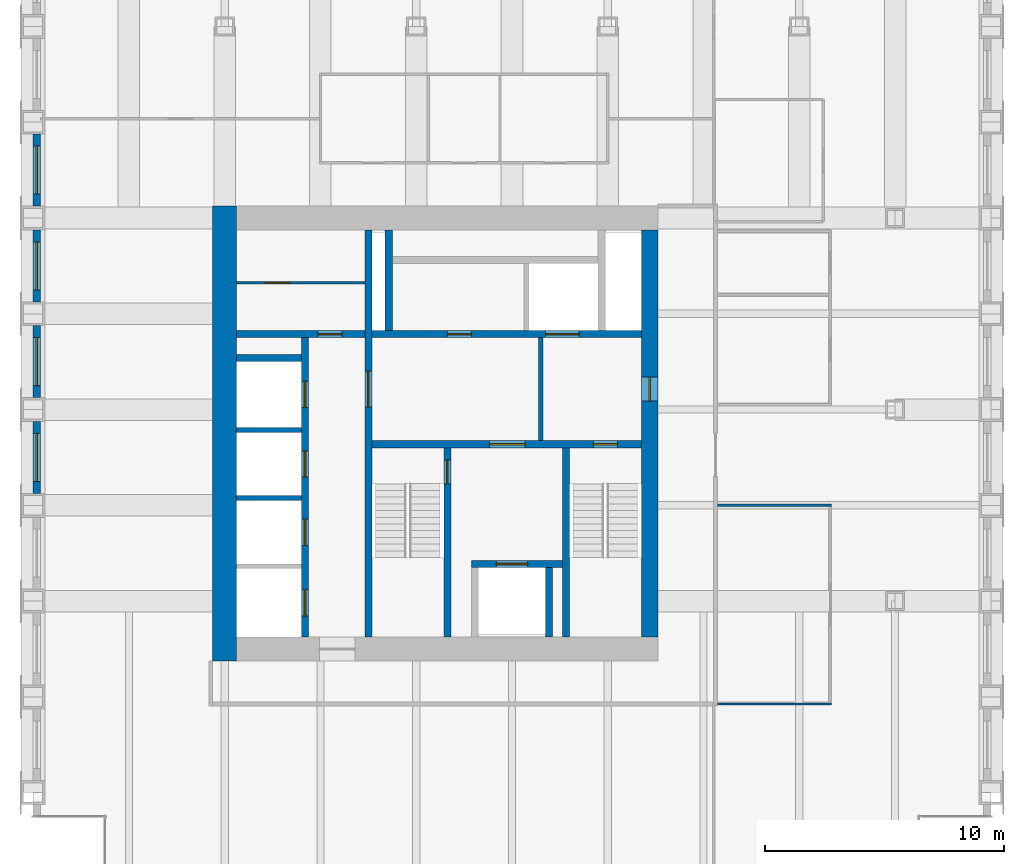
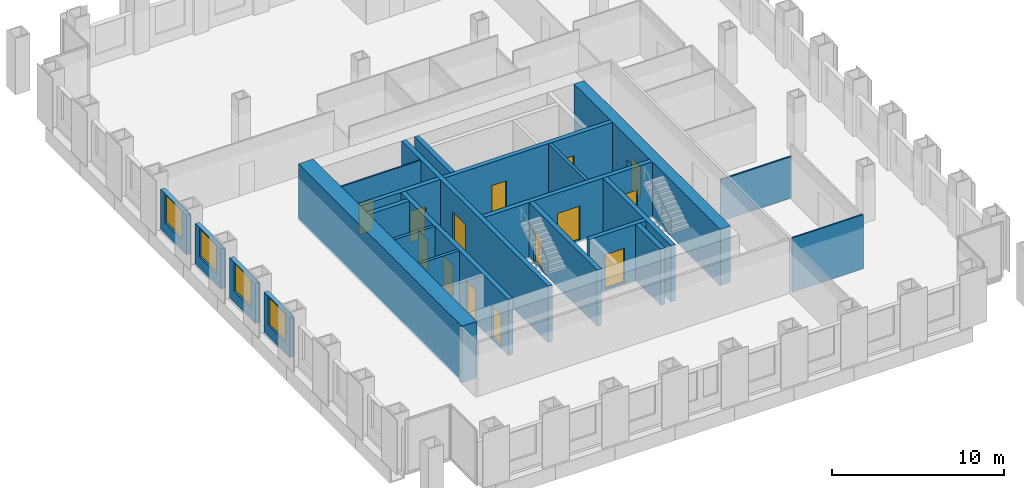
# One storey, part 9 of 13: 23 walls, 14 doors, 4 windows, 18 openings.
"""IFC4 building model written with IfcOpenShell, lengths in metres."""

from ifc_helpers import new_model, si_unit, direction, frame, frame_2d, origin, place, context, subcontext, project, spatial, rectangle, extrude, material, layer, layer_set, type_object, element, fill, save


model = new_model("IFC4")

# Units and contexts
model_context = context("Model", 3, precision=1e-05, world=origin(), true_north=direction((0.0, 1.0)))
body_context = subcontext(model_context, "Body", "Model", "MODEL_VIEW")
ifc_project = project(units=[si_unit("LENGTHUNIT", "METRE"), si_unit("AREAUNIT", "SQUARE_METRE"), si_unit("VOLUMEUNIT", "CUBIC_METRE"), si_unit("PLANEANGLEUNIT", "RADIAN"), si_unit("MASSUNIT", "GRAM", prefix="KILO")], contexts=[model_context])

# Site, building, storey
site_placement = place(None, origin())
site = spatial("IfcSite", under=ifc_project, at=site_placement, CompositionType="ELEMENT")
building_placement = place(site_placement, origin())
building = spatial("IfcBuilding", under=site, at=building_placement, Name="Rimbunsela Tower", CompositionType="ELEMENT")
storey_placement = place(building_placement, frame((0.0, 0.0, 222.199951171875)))
storey = spatial("IfcBuildingStorey", under=building, at=storey_placement, Name="L53", CompositionType="ELEMENT", Elevation=222.199951171875)

# Wall, opening, door
ifc_material_1 = material(Name="Concrete fc' 80 MPa", Category="concrete")
ifc_layer_1 = layer(ifc_material_1, 0.300048828125)
ifc_layer_set_1 = layer_set([ifc_layer_1], Name="Core internal wall 300")
wall_type_1 = type_object("IfcWallType", Name="Core internal wall 300", PredefinedType="SHEAR", material=ifc_layer_set_1)
wall_1_placement = place(storey_placement, frame((24.0, 18.5, -0.14990234375), z_axis=(0.0, 0.0, 1.0), x_axis=(0.0, 1.0, 0.0)))
wall_1 = element("IfcWall", 1, at=wall_1_placement, inside=storey, type_object=wall_type_1, Name="Core wall at stair A", PredefinedType="SHEAR", context=body_context, shape_type="SweptSolid", body=[
    extrude(rectangle(XDim=17.0, YDim=0.300048828125, at=frame_2d((8.5, 0.0))), origin(), (0.0, 0.0, 1.0), 4.0),
])
opening_1_placement = place(wall_1_placement, frame((9.60009765625, 0.0, 0.14990234375)))
opening_1 = element("IfcOpeningElement", 2, at=opening_1_placement, cuts=wall_1, Name="Opening D03", PredefinedType="OPENING", context=body_context, shape_type="SweptSolid", body=[
    extrude(rectangle(XDim=1.5, YDim=2.39990234375, at=frame_2d((0.75, 1.199951171875))), frame((0.0, 0.159912109375, 0.0), z_axis=(0.0, -1.0, 0.0), x_axis=(1.0, 0.0, 0.0)), (0.0, 0.0, 1.0), 0.320068359375),
])
ifc_material_2 = material(Name="Steel door, fire rated", Category="steel")
door_type_1 = type_object("IfcDoorType", Name="Core lobby door 1500", OperationType="DOUBLE_DOOR_DOUBLE_SWING", PredefinedType="DOOR", material=ifc_material_2)
door_1_placement = place(opening_1_placement, origin())
door_1 = element("IfcDoor", 3, at=door_1_placement, inside=storey, type_object=door_type_1, Name="West lobby door", OperationType="DOUBLE_DOOR_DOUBLE_SWING", OverallHeight=2.39990234375, OverallWidth=1.5, PredefinedType="DOOR", context=body_context, shape_type="SweptSolid", body=[
    extrude(rectangle(XDim=1.5, YDim=2.39990234375, at=frame_2d((0.75, 1.199951171875))), frame((0.0, 0.02490234375, 0.0), z_axis=(0.0, -1.0, 0.0), x_axis=(1.0, 0.0, 0.0)), (0.0, 0.0, 1.0), 0.050048828125),
])
fill(opening_1, door_1)

# Wall, openings, doors
wall_2_placement = place(storey_placement, frame((24.14990234375, 26.550048828125, -0.14990234375), z_axis=(0.0, 0.0, 1.0), x_axis=(1.0, 0.0, 0.0)))
wall_2 = element("IfcWall", 4, at=wall_2_placement, inside=storey, type_object=wall_type_1, Name="Core wall lobby south", PredefinedType="SHEAR", context=body_context, shape_type="SweptSolid", body=[
    extrude(rectangle(XDim=11.25, YDim=0.300048828125, at=frame_2d((5.625, 0.0))), origin(), (0.0, 0.0, 1.0), 4.0),
])
opening_2_placement = place(wall_2_placement, frame((9.25, 0.0, 0.14990234375)))
opening_2 = element("IfcOpeningElement", 5, at=opening_2_placement, cuts=wall_2, Name="Opening D01", PredefinedType="OPENING", context=body_context, shape_type="SweptSolid", body=[
    extrude(rectangle(XDim=1.0, YDim=2.199951171875, at=frame_2d((0.5, 1.10009765625))), frame((0.0, 0.159912109375, 0.0), z_axis=(0.0, -1.0, 0.0), x_axis=(1.0, 0.0, 0.0)), (0.0, 0.0, 1.0), 0.320068359375),
])
opening_3_placement = place(wall_2_placement, frame((4.89990234375, 0.0, 0.14990234375)))
opening_3 = element("IfcOpeningElement", 6, at=opening_3_placement, cuts=wall_2, Name="Opening D03", PredefinedType="OPENING", context=body_context, shape_type="SweptSolid", body=[
    extrude(rectangle(XDim=1.5, YDim=2.39990234375, at=frame_2d((0.75, 1.199951171875))), frame((0.0, 0.159912109375, 0.0), z_axis=(0.0, -1.0, 0.0), x_axis=(1.0, 0.0, 0.0)), (0.0, 0.0, 1.0), 0.320068359375),
])
door_2_placement = place(opening_3_placement, origin())
door_2 = element("IfcDoor", 7, at=door_2_placement, inside=storey, type_object=door_type_1, Name="Firefighting lobby door", OperationType="DOUBLE_DOOR_DOUBLE_SWING", OverallHeight=2.39990234375, OverallWidth=1.5, PredefinedType="DOOR", context=body_context, shape_type="SweptSolid", body=[
    extrude(rectangle(XDim=1.5, YDim=2.39990234375, at=frame_2d((0.75, 1.199951171875))), frame((0.0, 0.02490234375, 0.0), z_axis=(0.0, -1.0, 0.0), x_axis=(1.0, 0.0, 0.0)), (0.0, 0.0, 1.0), 0.050048828125),
])
fill(opening_3, door_2)
ifc_material_3 = material(Name="Steel door, fire rated", Category="steel")
door_type_2 = type_object("IfcDoorType", Name="Stair door 1000", OperationType="SINGLE_SWING_RIGHT", PredefinedType="DOOR", material=ifc_material_3)
door_3_placement = place(opening_2_placement, frame((1.0, 0.0, 0.0), z_axis=(0.0, 0.0, 1.0), x_axis=(-1.0, 0.0, 0.0)))
door_3 = element("IfcDoor", 8, at=door_3_placement, inside=storey, type_object=door_type_2, Name="Stair B door", OperationType="SINGLE_SWING_RIGHT", OverallHeight=2.199951171875, OverallWidth=1.0, PredefinedType="DOOR", context=body_context, shape_type="SweptSolid", body=[
    extrude(rectangle(XDim=1.0, YDim=2.199951171875, at=frame_2d((0.5, 1.10009765625))), frame((0.0, 0.02490234375, 0.0), z_axis=(0.0, -1.0, 0.0), x_axis=(1.0, 0.0, 0.0)), (0.0, 0.0, 1.0), 0.050048828125),
])
fill(opening_2, door_3)

# Wall, opening, door
wall_3_placement = place(storey_placement, frame((27.300048828125, 18.5, -0.14990234375), z_axis=(0.0, 0.0, 1.0), x_axis=(0.0, 1.0, 0.0)))
wall_3 = element("IfcWall", 9, at=wall_3_placement, inside=storey, type_object=wall_type_1, Name="Stair A enclosure", PredefinedType="SHEAR", context=body_context, shape_type="SweptSolid", body=[
    extrude(rectangle(XDim=7.89990234375, YDim=0.300048828125, at=frame_2d((3.949951171875, 0.0))), origin(), (0.0, 0.0, 1.0), 4.0),
])
opening_4_placement = place(wall_3_placement, frame((6.39990234375, 0.0, 0.14990234375)))
opening_4 = element("IfcOpeningElement", 10, at=opening_4_placement, cuts=wall_3, Name="Opening D01", PredefinedType="OPENING", context=body_context, shape_type="SweptSolid", body=[
    extrude(rectangle(XDim=1.0, YDim=2.199951171875, at=frame_2d((0.5, 1.10009765625))), frame((0.0, 0.159912109375, 0.0), z_axis=(0.0, -1.0, 0.0), x_axis=(1.0, 0.0, 0.0)), (0.0, 0.0, 1.0), 0.320068359375),
])
door_4_placement = place(opening_4_placement, origin())
door_4 = element("IfcDoor", 11, at=door_4_placement, inside=storey, type_object=door_type_2, Name="Stair A door", OperationType="SINGLE_SWING_RIGHT", OverallHeight=2.199951171875, OverallWidth=1.0, PredefinedType="DOOR", context=body_context, shape_type="SweptSolid", body=[
    extrude(rectangle(XDim=1.0, YDim=2.199951171875, at=frame_2d((0.5, 1.10009765625))), frame((0.0, 0.02490234375, 0.0), z_axis=(0.0, -1.0, 0.0), x_axis=(1.0, 0.0, 0.0)), (0.0, 0.0, 1.0), 0.050048828125),
])
fill(opening_4, door_4)

# Walls
wall_4_placement = place(storey_placement, frame((32.25, 18.5, -0.14990234375), z_axis=(0.0, 0.0, 1.0), x_axis=(0.0, 1.0, 0.0)))
element("IfcWall", 12, at=wall_4_placement, inside=storey, type_object=wall_type_1, Name="Stair B enclosure", PredefinedType="SHEAR", context=body_context, shape_type="SweptSolid", body=[
    extrude(rectangle(XDim=7.89990234375, YDim=0.300048828125, at=frame_2d((3.949951171875, 0.0))), origin(), (0.0, 0.0, 1.0), 4.0),
])
wall_5_placement = place(storey_placement, frame((31.550048828125, 18.5, -0.14990234375), z_axis=(0.0, 0.0, 1.0), x_axis=(0.0, 1.0, 0.0)))
element("IfcWall", 13, at=wall_5_placement, inside=storey, type_object=wall_type_1, Name="Firefighting lift shaft east", PredefinedType="SHEAR", context=body_context, shape_type="SweptSolid", body=[
    extrude(rectangle(XDim=2.89990234375, YDim=0.300048828125, at=frame_2d((1.449951171875, 0.0))), origin(), (0.0, 0.0, 1.0), 4.0),
])

# Wall, opening, door
wall_6_placement = place(storey_placement, frame((28.300048828125, 21.550048828125, -0.14990234375), z_axis=(0.0, 0.0, 1.0), x_axis=(1.0, 0.0, 0.0)))
wall_6 = element("IfcWall", 14, at=wall_6_placement, inside=storey, type_object=wall_type_1, Name="Firefighting lift shaft front", PredefinedType="SHEAR", context=body_context, shape_type="SweptSolid", body=[
    extrude(rectangle(XDim=3.800048828125, YDim=0.300048828125, at=frame_2d((1.89990234375, 0.0))), origin(), (0.0, 0.0, 1.0), 4.0),
])
opening_5_placement = place(wall_6_placement, frame((1.050048828125, 0.0, 0.14990234375)))
opening_5 = element("IfcOpeningElement", 15, at=opening_5_placement, cuts=wall_6, Name="Opening LD2", PredefinedType="OPENING", context=body_context, shape_type="SweptSolid", body=[
    extrude(rectangle(XDim=1.300048828125, YDim=2.39990234375, at=frame_2d((0.64990234375, 1.199951171875))), frame((0.0, 0.159912109375, 0.0), z_axis=(0.0, -1.0, 0.0), x_axis=(1.0, 0.0, 0.0)), (0.0, 0.0, 1.0), 0.320068359375),
])
ifc_material_4 = material(Name="Steel door, fire rated", Category="steel")
door_type_3 = type_object("IfcDoorType", Name="Lift landing door 1300", OperationType="DOUBLE_DOOR_SLIDING", PredefinedType="DOOR", material=ifc_material_4)
door_5_placement = place(opening_5_placement, origin())
door_5 = element("IfcDoor", 16, at=door_5_placement, inside=storey, type_object=door_type_3, Name="Lift landing door FL1", OperationType="DOUBLE_DOOR_SLIDING", OverallHeight=2.39990234375, OverallWidth=1.300048828125, PredefinedType="DOOR", context=body_context, shape_type="SweptSolid", body=[
    extrude(rectangle(XDim=1.300048828125, YDim=2.39990234375, at=frame_2d((0.64990234375, 1.199951171875))), frame((0.0, 0.02490234375, 0.0), z_axis=(0.0, -1.0, 0.0), x_axis=(1.0, 0.0, 0.0)), (0.0, 0.0, 1.0), 0.050048828125),
])
fill(opening_5, door_5)

# Wall, openings, doors
wall_7_placement = place(storey_placement, frame((24.14990234375, 31.14990234375, -0.14990234375), z_axis=(0.0, 0.0, 1.0), x_axis=(1.0, 0.0, 0.0)))
wall_7 = element("IfcWall", 17, at=wall_7_placement, inside=storey, type_object=wall_type_1, Name="Lift shaft front north", PredefinedType="SHEAR", context=body_context, shape_type="SweptSolid", body=[
    extrude(rectangle(XDim=11.25, YDim=0.300048828125, at=frame_2d((5.625, 0.0))), origin(), (0.0, 0.0, 1.0), 4.0),
])
opening_6_placement = place(wall_7_placement, frame((3.14990234375, 0.0, 0.14990234375)))
opening_6 = element("IfcOpeningElement", 18, at=opening_6_placement, cuts=wall_7, Name="Opening D19", PredefinedType="OPENING", context=body_context, shape_type="SweptSolid", body=[
    extrude(rectangle(XDim=1.0, YDim=2.199951171875, at=frame_2d((0.5, 1.10009765625))), frame((0.0, 0.159912109375, 0.0), z_axis=(0.0, -1.0, 0.0), x_axis=(1.0, 0.0, 0.0)), (0.0, 0.0, 1.0), 0.320068359375),
])
opening_7_placement = place(wall_7_placement, frame((7.25, 0.0, 0.14990234375)))
opening_7 = element("IfcOpeningElement", 19, at=opening_7_placement, cuts=wall_7, Name="Opening LD3", PredefinedType="OPENING", context=body_context, shape_type="SweptSolid", body=[
    extrude(rectangle(XDim=1.39990234375, YDim=2.39990234375, at=frame_2d((0.699951171875, 1.199951171875))), frame((0.0, 0.159912109375, 0.0), z_axis=(0.0, -1.0, 0.0), x_axis=(1.0, 0.0, 0.0)), (0.0, 0.0, 1.0), 0.320068359375),
])
ifc_material_5 = material(Name="Steel door, fire rated", Category="steel")
door_type_4 = type_object("IfcDoorType", Name="Lift landing door 1400", OperationType="DOUBLE_DOOR_SLIDING", PredefinedType="DOOR", material=ifc_material_5)
door_6_placement = place(opening_7_placement, origin())
door_6 = element("IfcDoor", 20, at=door_6_placement, inside=storey, type_object=door_type_4, Name="Lift landing door FL2", OperationType="DOUBLE_DOOR_SLIDING", OverallHeight=2.39990234375, OverallWidth=1.39990234375, PredefinedType="DOOR", context=body_context, shape_type="SweptSolid", body=[
    extrude(rectangle(XDim=1.39990234375, YDim=2.39990234375, at=frame_2d((0.699951171875, 1.199951171875))), frame((0.0, 0.02490234375, 0.0), z_axis=(0.0, -1.0, 0.0), x_axis=(1.0, 0.0, 0.0)), (0.0, 0.0, 1.0), 0.050048828125),
])
fill(opening_7, door_6)
ifc_material_6 = material(Name="Steel door, fire rated", Category="steel")
door_type_5 = type_object("IfcDoorType", Name="Service door 1000 fire rated", OperationType="SINGLE_SWING_LEFT", PredefinedType="DOOR", material=ifc_material_6)
door_7_placement = place(opening_6_placement, origin())
door_7 = element("IfcDoor", 21, at=door_7_placement, inside=storey, type_object=door_type_5, Name="Equipment store door", OperationType="SINGLE_SWING_LEFT", OverallHeight=2.199951171875, OverallWidth=1.0, PredefinedType="DOOR", context=body_context, shape_type="SweptSolid", body=[
    extrude(rectangle(XDim=1.0, YDim=2.199951171875, at=frame_2d((0.5, 1.10009765625))), frame((0.0, 0.02490234375, 0.0), z_axis=(0.0, -1.0, 0.0), x_axis=(1.0, 0.0, 0.0)), (0.0, 0.0, 1.0), 0.050048828125),
])
fill(opening_6, door_7)

wall_8_placement = place(storey_placement, frame((21.35009765625, 18.5, -0.14990234375), z_axis=(0.0, 0.0, 1.0), x_axis=(0.0, 1.0, 0.0)))
wall_8 = element("IfcWall", 22, at=wall_8_placement, inside=storey, type_object=wall_type_1, Name="Lift shaft front west", PredefinedType="SHEAR", context=body_context, shape_type="SweptSolid", body=[
    extrude(rectangle(XDim=12.5, YDim=0.300048828125, at=frame_2d((6.25, 0.0))), origin(), (0.0, 0.0, 1.0), 4.0),
])
opening_8_placement = place(wall_8_placement, frame((0.875, 0.0, 0.14990234375)))
opening_8 = element("IfcOpeningElement", 23, at=opening_8_placement, cuts=wall_8, Name="Opening LD1", PredefinedType="OPENING", context=body_context, shape_type="SweptSolid", body=[
    extrude(rectangle(XDim=1.10009765625, YDim=2.199951171875, at=frame_2d((0.550048828125, 1.10009765625))), frame((0.0, 0.159912109375, 0.0), z_axis=(0.0, -1.0, 0.0), x_axis=(1.0, 0.0, 0.0)), (0.0, 0.0, 1.0), 0.320068359375),
])
opening_9_placement = place(wall_8_placement, frame((3.824951171875, 0.0, 0.14990234375)))
opening_9 = element("IfcOpeningElement", 24, at=opening_9_placement, cuts=wall_8, Name="Opening LD1", PredefinedType="OPENING", context=body_context, shape_type="SweptSolid", body=[
    extrude(rectangle(XDim=1.10009765625, YDim=2.199951171875, at=frame_2d((0.550048828125, 1.10009765625))), frame((0.0, 0.159912109375, 0.0), z_axis=(0.0, -1.0, 0.0), x_axis=(1.0, 0.0, 0.0)), (0.0, 0.0, 1.0), 0.320068359375),
])
opening_10_placement = place(wall_8_placement, frame((6.675048828125, 0.0, 0.14990234375)))
opening_10 = element("IfcOpeningElement", 25, at=opening_10_placement, cuts=wall_8, Name="Opening LD1", PredefinedType="OPENING", context=body_context, shape_type="SweptSolid", body=[
    extrude(rectangle(XDim=1.10009765625, YDim=2.199951171875, at=frame_2d((0.550048828125, 1.10009765625))), frame((0.0, 0.159912109375, 0.0), z_axis=(0.0, -1.0, 0.0), x_axis=(1.0, 0.0, 0.0)), (0.0, 0.0, 1.0), 0.320068359375),
])
opening_11_placement = place(wall_8_placement, frame((9.574951171875, 0.0, 0.14990234375)))
opening_11 = element("IfcOpeningElement", 26, at=opening_11_placement, cuts=wall_8, Name="Opening LD1", PredefinedType="OPENING", context=body_context, shape_type="SweptSolid", body=[
    extrude(rectangle(XDim=1.10009765625, YDim=2.199951171875, at=frame_2d((0.550048828125, 1.10009765625))), frame((0.0, 0.159912109375, 0.0), z_axis=(0.0, -1.0, 0.0), x_axis=(1.0, 0.0, 0.0)), (0.0, 0.0, 1.0), 0.320068359375),
])
ifc_material_7 = material(Name="Steel door, fire rated", Category="steel")
door_type_6 = type_object("IfcDoorType", Name="Lift landing door 1100", OperationType="DOUBLE_DOOR_SLIDING", PredefinedType="DOOR", material=ifc_material_7)
door_8_placement = place(opening_8_placement, origin())
door_8 = element("IfcDoor", 27, at=door_8_placement, inside=storey, type_object=door_type_6, Name="Lift landing door TL1", OperationType="DOUBLE_DOOR_SLIDING", OverallHeight=2.199951171875, OverallWidth=1.10009765625, PredefinedType="DOOR", context=body_context, shape_type="SweptSolid", body=[
    extrude(rectangle(XDim=1.10009765625, YDim=2.199951171875, at=frame_2d((0.550048828125, 1.10009765625))), frame((0.0, 0.02490234375, 0.0), z_axis=(0.0, -1.0, 0.0), x_axis=(1.0, 0.0, 0.0)), (0.0, 0.0, 1.0), 0.050048828125),
])
fill(opening_8, door_8)
door_9_placement = place(opening_9_placement, origin())
door_9 = element("IfcDoor", 28, at=door_9_placement, inside=storey, type_object=door_type_6, Name="Lift landing door TL2", OperationType="DOUBLE_DOOR_SLIDING", OverallHeight=2.199951171875, OverallWidth=1.10009765625, PredefinedType="DOOR", context=body_context, shape_type="SweptSolid", body=[
    extrude(rectangle(XDim=1.10009765625, YDim=2.199951171875, at=frame_2d((0.550048828125, 1.10009765625))), frame((0.0, 0.02490234375, 0.0), z_axis=(0.0, -1.0, 0.0), x_axis=(1.0, 0.0, 0.0)), (0.0, 0.0, 1.0), 0.050048828125),
])
fill(opening_9, door_9)
door_10_placement = place(opening_10_placement, origin())
door_10 = element("IfcDoor", 29, at=door_10_placement, inside=storey, type_object=door_type_6, Name="Lift landing door TL3", OperationType="DOUBLE_DOOR_SLIDING", OverallHeight=2.199951171875, OverallWidth=1.10009765625, PredefinedType="DOOR", context=body_context, shape_type="SweptSolid", body=[
    extrude(rectangle(XDim=1.10009765625, YDim=2.199951171875, at=frame_2d((0.550048828125, 1.10009765625))), frame((0.0, 0.02490234375, 0.0), z_axis=(0.0, -1.0, 0.0), x_axis=(1.0, 0.0, 0.0)), (0.0, 0.0, 1.0), 0.050048828125),
])
fill(opening_10, door_10)
door_11_placement = place(opening_11_placement, origin())
door_11 = element("IfcDoor", 30, at=door_11_placement, inside=storey, type_object=door_type_6, Name="Lift landing door TL4", OperationType="DOUBLE_DOOR_SLIDING", OverallHeight=2.199951171875, OverallWidth=1.10009765625, PredefinedType="DOOR", context=body_context, shape_type="SweptSolid", body=[
    extrude(rectangle(XDim=1.10009765625, YDim=2.199951171875, at=frame_2d((0.550048828125, 1.10009765625))), frame((0.0, 0.02490234375, 0.0), z_axis=(0.0, -1.0, 0.0), x_axis=(1.0, 0.0, 0.0)), (0.0, 0.0, 1.0), 0.050048828125),
])
fill(opening_11, door_11)

# Wall, opening, door
wall_9_placement = place(storey_placement, frame((18.5, 31.14990234375, -0.14990234375), z_axis=(0.0, 0.0, 1.0), x_axis=(1.0, 0.0, 0.0)))
wall_9 = element("IfcWall", 31, at=wall_9_placement, inside=storey, type_object=wall_type_1, Name="Store wall", PredefinedType="SHEAR", context=body_context, shape_type="SweptSolid", body=[
    extrude(rectangle(XDim=5.35009765625, YDim=0.300048828125, at=frame_2d((2.675048828125, 0.0))), origin(), (0.0, 0.0, 1.0), 4.0),
])
opening_12_placement = place(wall_9_placement, frame((3.39990234375, 0.0, 0.14990234375)))
opening_12 = element("IfcOpeningElement", 32, at=opening_12_placement, cuts=wall_9, Name="Opening D19", PredefinedType="OPENING", context=body_context, shape_type="SweptSolid", body=[
    extrude(rectangle(XDim=1.0, YDim=2.199951171875, at=frame_2d((0.5, 1.10009765625))), frame((0.0, 0.159912109375, 0.0), z_axis=(0.0, -1.0, 0.0), x_axis=(1.0, 0.0, 0.0)), (0.0, 0.0, 1.0), 0.320068359375),
])
door_12_placement = place(opening_12_placement, origin())
door_12 = element("IfcDoor", 33, at=door_12_placement, inside=storey, type_object=door_type_5, Name="Facilities store door", OperationType="SINGLE_SWING_LEFT", OverallHeight=2.199951171875, OverallWidth=1.0, PredefinedType="DOOR", context=body_context, shape_type="SweptSolid", body=[
    extrude(rectangle(XDim=1.0, YDim=2.199951171875, at=frame_2d((0.5, 1.10009765625))), frame((0.0, 0.02490234375, 0.0), z_axis=(0.0, -1.0, 0.0), x_axis=(1.0, 0.0, 0.0)), (0.0, 0.0, 1.0), 0.050048828125),
])
fill(opening_12, door_12)

# Walls
wall_10_placement = place(storey_placement, frame((18.5, 30.14990234375, -0.14990234375), z_axis=(0.0, 0.0, 1.0), x_axis=(1.0, 0.0, 0.0)))
element("IfcWall", 34, at=wall_10_placement, inside=storey, type_object=wall_type_1, Name="Lift shaft rear west", PredefinedType="SHEAR", context=body_context, shape_type="SweptSolid", body=[
    extrude(rectangle(XDim=2.699951171875, YDim=0.300048828125, at=frame_2d((1.35009765625, 0.0))), origin(), (0.0, 0.0, 1.0), 4.0),
])
wall_11_placement = place(storey_placement, frame((24.85009765625, 31.300048828125, -0.14990234375), z_axis=(0.0, 0.0, 1.0), x_axis=(0.0, 1.0, 0.0)))
element("IfcWall", 35, at=wall_11_placement, inside=storey, type_object=wall_type_1, Name="Riser wall", PredefinedType="SHEAR", context=body_context, shape_type="SweptSolid", body=[
    extrude(rectangle(XDim=4.199951171875, YDim=0.300048828125, at=frame_2d((2.10009765625, 0.0))), origin(), (0.0, 0.0, 1.0), 4.0),
])

# Wall, opening, door
ifc_material_8 = material(Name="Concrete blockwork", Category="masonry")
ifc_layer_2 = layer(ifc_material_8, 0.10009765625)
ifc_layer_set_2 = layer_set([ifc_layer_2], Name="Core room partition 100")
wall_type_2 = type_object("IfcWallType", Name="Core room partition 100", PredefinedType="PARTITIONING", material=ifc_layer_set_2)
wall_12_placement = place(storey_placement, frame((18.5, 33.300048828125, 0.0), z_axis=(0.0, 0.0, 1.0), x_axis=(1.0, 0.0, 0.0)))
wall_12 = element("IfcWall", 36, at=wall_12_placement, inside=storey, type_object=wall_type_2, Name="Tenant store wall", PredefinedType="PARTITIONING", context=body_context, shape_type="SweptSolid", body=[
    extrude(rectangle(XDim=5.35009765625, YDim=0.10009765625, at=frame_2d((2.675048828125, 0.0))), origin(), (0.0, 0.0, 1.0), 3.85009765625),
])
opening_13_placement = place(wall_12_placement, frame((1.199951171875, 0.0, 0.0)))
opening_13 = element("IfcOpeningElement", 37, at=opening_13_placement, cuts=wall_12, Name="Opening D19", PredefinedType="OPENING", context=body_context, shape_type="SweptSolid", body=[
    extrude(rectangle(XDim=1.0, YDim=2.199951171875, at=frame_2d((0.5, 1.10009765625))), frame((0.0, 0.06005859375, 0.0), z_axis=(0.0, -1.0, 0.0), x_axis=(1.0, 0.0, 0.0)), (0.0, 0.0, 1.0), 0.1201171875),
])
door_13_placement = place(opening_13_placement, origin())
door_13 = element("IfcDoor", 38, at=door_13_placement, inside=storey, type_object=door_type_5, Name="Tenant store door", OperationType="SINGLE_SWING_LEFT", OverallHeight=2.199951171875, OverallWidth=1.0, PredefinedType="DOOR", context=body_context, shape_type="SweptSolid", body=[
    extrude(rectangle(XDim=1.0, YDim=2.199951171875, at=frame_2d((0.5, 1.10009765625))), frame((0.0, 0.02490234375, 0.0), z_axis=(0.0, -1.0, 0.0), x_axis=(1.0, 0.0, 0.0)), (0.0, 0.0, 1.0), 0.050048828125),
])
fill(opening_13, door_13)

# Wall
ifc_material_9 = material(Name="Concrete fc' 80 MPa", Category="concrete")
ifc_layer_3 = layer(ifc_material_9, 1.0)
ifc_layer_set_3 = layer_set([ifc_layer_3], Name="Core wall 1000")
wall_type_3 = type_object("IfcWallType", Name="Core wall 1000", PredefinedType="SHEAR", material=ifc_layer_set_3)
wall_13_placement = place(storey_placement, frame((18.0, 17.5, -0.14990234375), z_axis=(0.0, 0.0, 1.0), x_axis=(0.0, 1.0, 0.0)))
element("IfcWall", 39, at=wall_13_placement, inside=storey, type_object=wall_type_3, Name="Core wall west", PredefinedType="SHEAR", context=body_context, shape_type="SweptSolid", body=[
    extrude(rectangle(XDim=19.0, YDim=1.0, at=frame_2d((9.5, 0.0))), origin(), (0.0, 0.0, 1.0), 4.0),
])

# Wall, opening, door
ifc_material_10 = material(Name="Concrete fc' 80 MPa", Category="concrete")
ifc_layer_4 = layer(ifc_material_10, 0.699951171875)
ifc_layer_set_4 = layer_set([ifc_layer_4], Name="Core wall 700 east")
wall_type_4 = type_object("IfcWallType", Name="Core wall 700 east", PredefinedType="SHEAR", material=ifc_layer_set_4)
wall_14_placement = place(storey_placement, frame((35.75, 18.5, -0.14990234375), z_axis=(0.0, 0.0, 1.0), x_axis=(0.0, 1.0, 0.0)))
wall_14 = element("IfcWall", 40, at=wall_14_placement, inside=storey, type_object=wall_type_4, Name="Core wall east", PredefinedType="SHEAR", context=body_context, shape_type="SweptSolid", body=[
    extrude(rectangle(XDim=17.0, YDim=0.699951171875, at=frame_2d((8.5, 0.0))), origin(), (0.0, 0.0, 1.0), 4.0),
])
opening_14_placement = place(wall_14_placement, frame((9.85009765625, 0.0, 0.14990234375)))
opening_14 = element("IfcOpeningElement", 41, at=opening_14_placement, cuts=wall_14, Name="Opening D01", PredefinedType="OPENING", context=body_context, shape_type="SweptSolid", body=[
    extrude(rectangle(XDim=1.0, YDim=2.199951171875, at=frame_2d((0.5, 1.10009765625))), frame((0.0, 0.35986328125, 0.0), z_axis=(0.0, -1.0, 0.0), x_axis=(1.0, 0.0, 0.0)), (0.0, 0.0, 1.0), 0.719970703125),
])
door_14_placement = place(opening_14_placement, origin())
door_14 = element("IfcDoor", 42, at=door_14_placement, inside=storey, type_object=door_type_2, Name="Firefighting lobby 2 door", OperationType="SINGLE_SWING_RIGHT", OverallHeight=2.199951171875, OverallWidth=1.0, PredefinedType="DOOR", context=body_context, shape_type="SweptSolid", body=[
    extrude(rectangle(XDim=1.0, YDim=2.199951171875, at=frame_2d((0.5, 1.10009765625))), frame((0.0, 0.02490234375, 0.0), z_axis=(0.0, -1.0, 0.0), x_axis=(1.0, 0.0, 0.0)), (0.0, 0.0, 1.0), 0.050048828125),
])
fill(opening_14, door_14)

# Walls
ifc_material_11 = material(Name="Concrete blockwork", Category="masonry")
ifc_layer_5 = layer(ifc_material_11, 0.199951171875)
ifc_layer_set_5 = layer_set([ifc_layer_5], Name="Lift shaft wall 200")
wall_type_5 = type_object("IfcWallType", Name="Lift shaft wall 200", PredefinedType="SOLIDWALL", material=ifc_layer_set_5)
for number, where, z_axis, x_axis, name in (
    (43, (18.5, 24.300048828125, -0.14990234375), (0.0, 0.0, 1.0), (1.0, 0.0, 0.0), "Lift shaft separation"),
    (44, (18.5, 27.14990234375, -0.14990234375), (0.0, 0.0, 1.0), (1.0, 0.0, 0.0), "Lift shaft separation"),
):
    element("IfcWall", number, at=place(storey_placement, frame(where, z_axis=z_axis, x_axis=x_axis)), inside=storey, type_object=wall_type_5, Name=name, PredefinedType="SOLIDWALL", context=body_context, shape_type="SweptSolid", body=[
        extrude(rectangle(XDim=2.699951171875, YDim=0.199951171875, at=frame_2d((1.35009765625, 0.0))), origin(), (0.0, 0.0, 1.0), 4.0),
    ])
wall_15_placement = place(storey_placement, frame((31.199951171875, 26.699951171875, 0.0), z_axis=(0.0, 0.0, 1.0), x_axis=(0.0, 1.0, 0.0)))
element("IfcWall", 45, at=wall_15_placement, inside=storey, type_object=wall_type_5, Name="Firefighting lobby 2 wall", PredefinedType="SOLIDWALL", context=body_context, shape_type="SweptSolid", body=[
    extrude(rectangle(XDim=4.300048828125, YDim=0.199951171875, at=frame_2d((2.14990234375, 0.0))), origin(), (0.0, 0.0, 1.0), 3.85009765625),
])
ifc_material_12 = material(Name="Gypsum board on steel studs", Category="steel")
ifc_layer_6 = layer(ifc_material_12, 0.10009765625)
ifc_layer_set_6 = layer_set([ifc_layer_6], Name="Office partition 100")
wall_type_6 = type_object("IfcWallType", Name="Office partition 100", PredefinedType="PARTITIONING", material=ifc_layer_set_6)
wall_16_placement = place(storey_placement, frame((38.574951171875, 15.699951171875, 0.0), z_axis=(0.0, 0.0, 1.0), x_axis=(1.0, 0.0, 0.0)))
element("IfcWall", 46, at=wall_16_placement, inside=storey, type_object=wall_type_6, Name="Office partition", PredefinedType="PARTITIONING", context=body_context, shape_type="SweptSolid", body=[
    extrude(rectangle(XDim=4.775146484375, YDim=0.10009765625, at=frame_2d((2.3876953125, 0.0))), origin(), (0.0, 0.0, 1.0), 3.85009765625),
])
wall_17_placement = place(storey_placement, frame((38.574951171875, 24.0, 0.0), z_axis=(0.0, 0.0, 1.0), x_axis=(1.0, 0.0, 0.0)))
element("IfcWall", 47, at=wall_17_placement, inside=storey, type_object=wall_type_6, Name="Office partition", PredefinedType="PARTITIONING", context=body_context, shape_type="SweptSolid", body=[
    extrude(rectangle(XDim=4.775146484375, YDim=0.10009765625, at=frame_2d((2.3876953125, 0.0))), origin(), (0.0, 0.0, 1.0), 2.949951171875),
])

# Wall, opening, window
ifc_material_13 = material(Name="Precast concrete fc' 35 MPa", Category="concrete")
ifc_layer_7 = layer(ifc_material_13, 0.300048828125)
ifc_layer_set_7 = layer_set([ifc_layer_7], Name="Precast concrete fc' 35 MPa")
wall_type_7 = type_object("IfcWallType", Name="Precast facade panel 300", PredefinedType="ELEMENTEDWALL", material=ifc_layer_set_7)
wall_18_placement = place(storey_placement, frame((10.14990234375, 27.5, 0.0), z_axis=(0.0, 0.0, 1.0), x_axis=(0.0, -1.0, 0.0)))
wall_18 = element("IfcWall", 48, at=wall_18_placement, inside=storey, type_object=wall_type_7, Name="Facade panel W L53", PredefinedType="ELEMENTEDWALL", context=body_context, shape_type="SweptSolid", body=[
    extrude(rectangle(XDim=3.0, YDim=0.300048828125, at=frame_2d((1.5, 0.0))), origin(), (0.0, 0.0, 1.0), 2.85009765625),
])
opening_15_placement = place(wall_18_placement, frame((0.5, 0.0, 0.800048828125)))
opening_15 = element("IfcOpeningElement", 49, at=opening_15_placement, cuts=wall_18, Name="Opening W1", PredefinedType="OPENING", context=body_context, shape_type="SweptSolid", body=[
    extrude(rectangle(XDim=2.0, YDim=2.0, at=frame_2d((1.0, 1.0))), frame((0.0, 0.159912109375, 0.0), z_axis=(0.0, -1.0, 0.0), x_axis=(1.0, 0.0, 0.0)), (0.0, 0.0, 1.0), 0.320068359375),
])
ifc_material_14 = material(Name="Clear glass in aluminium frame", Category="aluminium")
window_type = type_object("IfcWindowType", Name="Window W1 2000x2000", PartitioningType="DOUBLE_PANEL_VERTICAL", PredefinedType="WINDOW", material=ifc_material_14)
window_1_placement = place(opening_15_placement, origin())
window_1 = element("IfcWindow", 50, at=window_1_placement, inside=storey, type_object=window_type, Name="Window L53", OverallHeight=2.0, OverallWidth=2.0, PartitioningType="SINGLE_PANEL", PredefinedType="WINDOW", context=body_context, shape_type="SweptSolid", body=[
    extrude(rectangle(XDim=2.0, YDim=2.0, at=frame_2d((1.0, 1.0))), frame((0.0, 0.030029296875, 0.0), z_axis=(0.0, -1.0, 0.0), x_axis=(1.0, 0.0, 0.0)), (0.0, 0.0, 1.0), 0.06005859375),
])
fill(opening_15, window_1)

wall_19_placement = place(storey_placement, frame((10.14990234375, 31.5, 0.0), z_axis=(0.0, 0.0, 1.0), x_axis=(0.0, -1.0, 0.0)))
wall_19 = element("IfcWall", 51, at=wall_19_placement, inside=storey, type_object=wall_type_7, Name="Facade panel W L53", PredefinedType="ELEMENTEDWALL", context=body_context, shape_type="SweptSolid", body=[
    extrude(rectangle(XDim=3.0, YDim=0.300048828125, at=frame_2d((1.5, 0.0))), origin(), (0.0, 0.0, 1.0), 2.85009765625),
])
opening_16_placement = place(wall_19_placement, frame((0.5, 0.0, 0.800048828125)))
opening_16 = element("IfcOpeningElement", 52, at=opening_16_placement, cuts=wall_19, Name="Opening W1", PredefinedType="OPENING", context=body_context, shape_type="SweptSolid", body=[
    extrude(rectangle(XDim=2.0, YDim=2.0, at=frame_2d((1.0, 1.0))), frame((0.0, 0.159912109375, 0.0), z_axis=(0.0, -1.0, 0.0), x_axis=(1.0, 0.0, 0.0)), (0.0, 0.0, 1.0), 0.320068359375),
])
window_2_placement = place(opening_16_placement, origin())
window_2 = element("IfcWindow", 53, at=window_2_placement, inside=storey, type_object=window_type, Name="Window L53", OverallHeight=2.0, OverallWidth=2.0, PartitioningType="SINGLE_PANEL", PredefinedType="WINDOW", context=body_context, shape_type="SweptSolid", body=[
    extrude(rectangle(XDim=2.0, YDim=2.0, at=frame_2d((1.0, 1.0))), frame((0.0, 0.030029296875, 0.0), z_axis=(0.0, -1.0, 0.0), x_axis=(1.0, 0.0, 0.0)), (0.0, 0.0, 1.0), 0.06005859375),
])
fill(opening_16, window_2)

wall_20_placement = place(storey_placement, frame((10.14990234375, 35.5, 0.0), z_axis=(0.0, 0.0, 1.0), x_axis=(0.0, -1.0, 0.0)))
wall_20 = element("IfcWall", 54, at=wall_20_placement, inside=storey, type_object=wall_type_7, Name="Facade panel W L53", PredefinedType="ELEMENTEDWALL", context=body_context, shape_type="SweptSolid", body=[
    extrude(rectangle(XDim=3.0, YDim=0.300048828125, at=frame_2d((1.5, 0.0))), origin(), (0.0, 0.0, 1.0), 2.85009765625),
])
opening_17_placement = place(wall_20_placement, frame((0.5, 0.0, 0.800048828125)))
opening_17 = element("IfcOpeningElement", 55, at=opening_17_placement, cuts=wall_20, Name="Opening W1", PredefinedType="OPENING", context=body_context, shape_type="SweptSolid", body=[
    extrude(rectangle(XDim=2.0, YDim=2.0, at=frame_2d((1.0, 1.0))), frame((0.0, 0.159912109375, 0.0), z_axis=(0.0, -1.0, 0.0), x_axis=(1.0, 0.0, 0.0)), (0.0, 0.0, 1.0), 0.320068359375),
])
window_3_placement = place(opening_17_placement, origin())
window_3 = element("IfcWindow", 56, at=window_3_placement, inside=storey, type_object=window_type, Name="Window L53", OverallHeight=2.0, OverallWidth=2.0, PartitioningType="SINGLE_PANEL", PredefinedType="WINDOW", context=body_context, shape_type="SweptSolid", body=[
    extrude(rectangle(XDim=2.0, YDim=2.0, at=frame_2d((1.0, 1.0))), frame((0.0, 0.030029296875, 0.0), z_axis=(0.0, -1.0, 0.0), x_axis=(1.0, 0.0, 0.0)), (0.0, 0.0, 1.0), 0.06005859375),
])
fill(opening_17, window_3)

wall_21_placement = place(storey_placement, frame((10.14990234375, 39.5, 0.0), z_axis=(0.0, 0.0, 1.0), x_axis=(0.0, -1.0, 0.0)))
wall_21 = element("IfcWall", 57, at=wall_21_placement, inside=storey, type_object=wall_type_7, Name="Facade panel W L53", PredefinedType="ELEMENTEDWALL", context=body_context, shape_type="SweptSolid", body=[
    extrude(rectangle(XDim=3.0, YDim=0.300048828125, at=frame_2d((1.5, 0.0))), origin(), (0.0, 0.0, 1.0), 2.85009765625),
])
opening_18_placement = place(wall_21_placement, frame((0.5, 0.0, 0.800048828125)))
opening_18 = element("IfcOpeningElement", 58, at=opening_18_placement, cuts=wall_21, Name="Opening W1", PredefinedType="OPENING", context=body_context, shape_type="SweptSolid", body=[
    extrude(rectangle(XDim=2.0, YDim=2.0, at=frame_2d((1.0, 1.0))), frame((0.0, 0.159912109375, 0.0), z_axis=(0.0, -1.0, 0.0), x_axis=(1.0, 0.0, 0.0)), (0.0, 0.0, 1.0), 0.320068359375),
])
window_4_placement = place(opening_18_placement, origin())
window_4 = element("IfcWindow", 59, at=window_4_placement, inside=storey, type_object=window_type, Name="Window L53", OverallHeight=2.0, OverallWidth=2.0, PartitioningType="SINGLE_PANEL", PredefinedType="WINDOW", context=body_context, shape_type="SweptSolid", body=[
    extrude(rectangle(XDim=2.0, YDim=2.0, at=frame_2d((1.0, 1.0))), frame((0.0, 0.030029296875, 0.0), z_axis=(0.0, -1.0, 0.0), x_axis=(1.0, 0.0, 0.0)), (0.0, 0.0, 1.0), 0.06005859375),
])
fill(opening_18, window_4)

save(model, "model.ifc")
